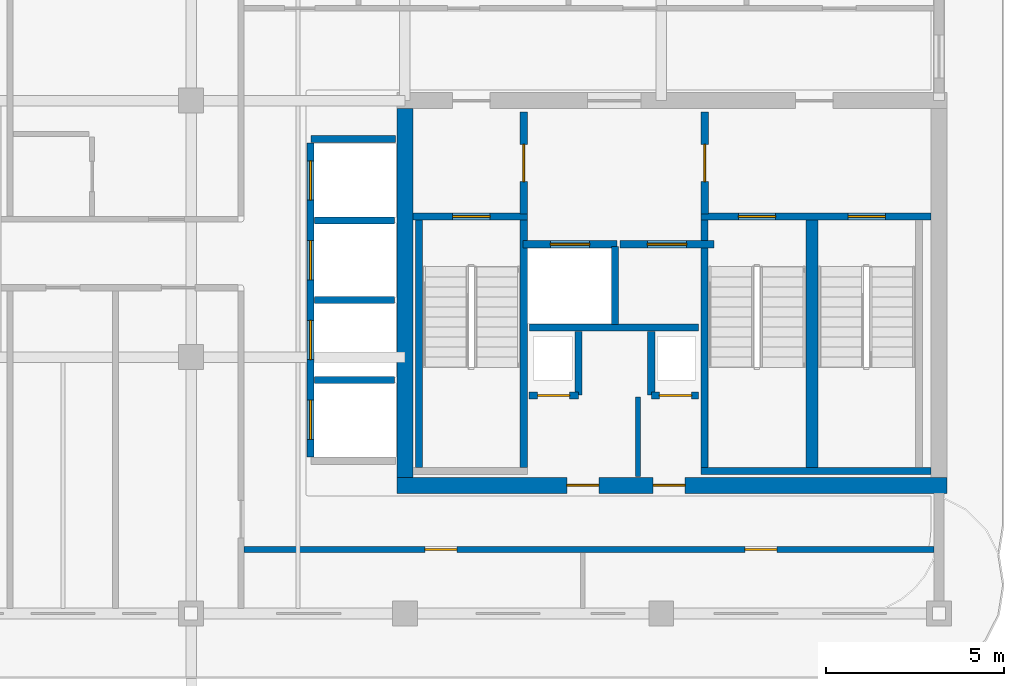
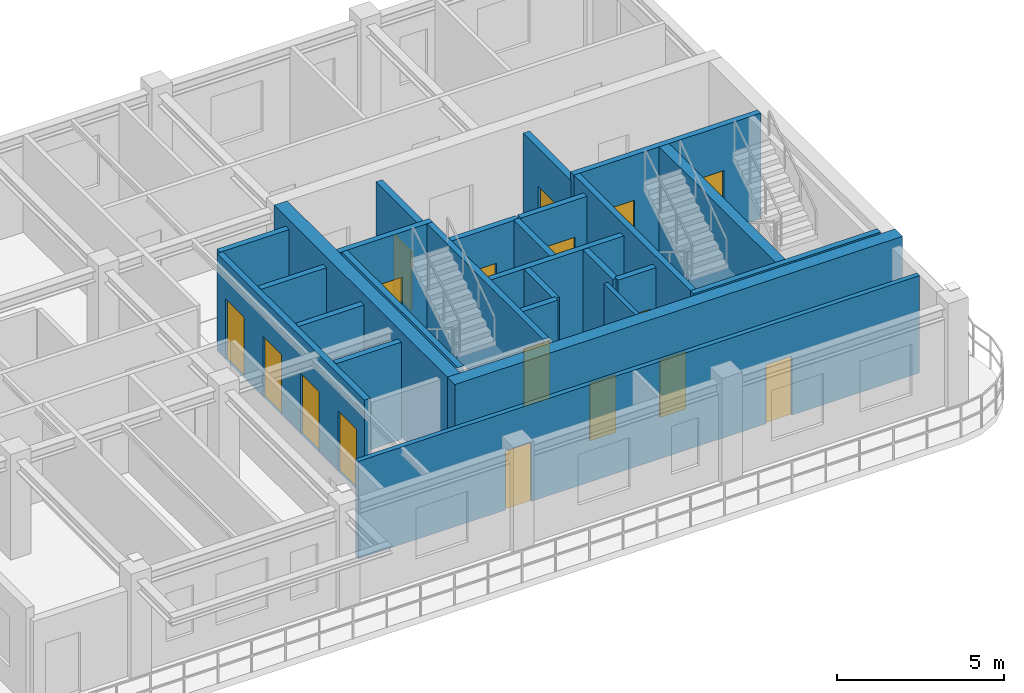
# One storey, part 3 of 7: 26 walls, 17 doors, 17 openings.
"""IFC4 building model written with IfcOpenShell, lengths in metres."""

from ifc_helpers import new_model, si_unit, derived_unit, direction, frame, frame_2d, origin, place, context, subcontext, project, spatial, rectangle, extrude, source, transform, mapped, material, layer, layer_set, type_object, type_shapes, element, fill, save


model = new_model("IFC4")

# Units and contexts
model_context = context("Model", 3, precision=1e-05, world=origin(), true_north=direction((0.0, 1.0)))
body_context = subcontext(model_context, "Body", "Model", "MODEL_VIEW")
ifc_project = project(units=[si_unit("LENGTHUNIT", "METRE"), si_unit("AREAUNIT", "SQUARE_METRE"), si_unit("VOLUMEUNIT", "CUBIC_METRE"), si_unit("PLANEANGLEUNIT", "RADIAN"), si_unit("MASSUNIT", "GRAM", prefix="KILO"), si_unit("THERMODYNAMICTEMPERATUREUNIT", "KELVIN"), si_unit("POWERUNIT", "WATT"), derived_unit("THERMALTRANSMITTANCEUNIT", [(si_unit("POWERUNIT", "WATT"), 1), (si_unit("AREAUNIT", "SQUARE_METRE"), -1), (si_unit("THERMODYNAMICTEMPERATUREUNIT", "KELVIN"), -1)])], contexts=[model_context])

# Site, building, storey
site_placement = place(None, origin())
site = spatial("IfcSite", under=ifc_project, at=site_placement, CompositionType="ELEMENT")
building_placement = place(site_placement, origin())
building = spatial("IfcBuilding", under=site, at=building_placement, Name="Zahravan Archway Hotel and Residences", CompositionType="ELEMENT")
storey_placement = place(building_placement, frame((0.0, 0.0, 290.449951171875)))
storey = spatial("IfcBuildingStorey", under=building, at=storey_placement, Name="L73", CompositionType="ELEMENT", Elevation=290.449951171875)

# Wall, openings, doors
ifc_material_1 = material(Name="Concrete C50/60", Category="concrete")
ifc_layer_1 = layer(ifc_material_1, 0.449951171875, Name="Concrete C50/60", Category="concrete")
ifc_layer_set_1 = layer_set([ifc_layer_1], Name="Concrete C50/60")
wall_type_1 = type_object("IfcWallType", Name="CW-CORE-450", PredefinedType="SHEAR", material=ifc_layer_set_1)
wall_1_placement = place(storey_placement, frame((34.574951171875, 3.60009765625, 0.0), z_axis=(0.0, 0.0, 1.0), x_axis=(1.0, 0.0, 0.0)))
wall_1 = element("IfcWall", 1, at=wall_1_placement, inside=storey, type_object=wall_type_1, Name="L73 Core A Shear S Wall 450 mm", PredefinedType="SHEAR", context=body_context, shape_type="SweptSolid", body=[
    extrude(rectangle(XDim=15.449951171875, YDim=0.449951171875, at=frame_2d((7.72509765625, 0.0))), origin(), (0.0, 0.0, 1.0), 3.85009765625),
])
opening_1_placement = place(wall_1_placement, frame((4.77490234375, 0.0, 0.0)))
opening_1 = element("IfcOpeningElement", 2, at=opening_1_placement, cuts=wall_1, Name="Opening FD-R1", PredefinedType="OPENING", context=body_context, shape_type="SweptSolid", body=[
    extrude(rectangle(XDim=0.89990234375, YDim=2.10009765625, at=frame_2d((0.449951171875, 1.050048828125))), frame((0.0, 0.23486328125, 0.0), z_axis=(0.0, -1.0, 0.0), x_axis=(1.0, 0.0, 0.0)), (0.0, 0.0, 1.0), 0.469970703125),
])
opening_2_placement = place(wall_1_placement, frame((7.195068359375, 0.0, 0.0)))
opening_2 = element("IfcOpeningElement", 3, at=opening_2_placement, cuts=wall_1, Name="Opening FD-R1", PredefinedType="OPENING", context=body_context, shape_type="SweptSolid", body=[
    extrude(rectangle(XDim=0.89990234375, YDim=2.10009765625, at=frame_2d((0.449951171875, 1.050048828125))), frame((0.0, 0.23486328125, 0.0), z_axis=(0.0, -1.0, 0.0), x_axis=(1.0, 0.0, 0.0)), (0.0, 0.0, 1.0), 0.469970703125),
])
ifc_material_2 = material(Name="Fire-Rated Painted Steel", Category="steel")
door_type_1 = type_object("IfcDoorType", Name="FD-RISER-900", OperationType="NOTDEFINED", PredefinedType="DOOR", material=ifc_material_2)
shared_shape_1 = source(origin(), body_context, "Body", "SweptSolid", [
    extrude(rectangle(XDim=0.89990234375, YDim=2.10009765625, at=frame_2d((0.449951171875, 1.050048828125))), frame((0.0, 0.02490234375, 0.0), z_axis=(0.0, -1.0, 0.0), x_axis=(1.0, 0.0, 0.0)), (0.0, 0.0, 1.0), 0.050048828125),
])
type_shapes(door_type_1, [shared_shape_1])
door_1_placement = place(opening_1_placement, origin())
door_1 = element("IfcDoor", 4, at=door_1_placement, inside=storey, type_object=door_type_1, Name="L73 Service Pantry Door", OperationType="SINGLE_SWING_RIGHT", OverallHeight=2.10009765625, OverallWidth=0.89990234375, PredefinedType="DOOR", context=body_context, shape_type="MappedRepresentation", body=[
    mapped(shared_shape_1, transform((0.0, 0.0, 0.0), scale=1.0)),
])
fill(opening_1, door_1)
door_2_placement = place(opening_2_placement, origin())
door_2 = element("IfcDoor", 5, at=door_2_placement, inside=storey, type_object=door_type_1, Name="L73 Fibre ELV Riser Door", OperationType="SINGLE_SWING_LEFT", OverallHeight=2.10009765625, OverallWidth=0.89990234375, PredefinedType="DOOR", context=body_context, shape_type="MappedRepresentation", body=[
    mapped(shared_shape_1, transform((0.0, 0.0, 0.0), scale=1.0)),
])
fill(opening_2, door_2)

# Wall
wall_2_placement = place(storey_placement, frame((34.800048828125, 3.824951171875, 0.0), z_axis=(0.0, 0.0, 1.0), x_axis=(0.0, 1.0, 0.0)))
element("IfcWall", 6, at=wall_2_placement, inside=storey, type_object=wall_type_1, Name="L73 Core A Shear W Wall 450 mm", PredefinedType="SHEAR", context=body_context, shape_type="SweptSolid", body=[
    extrude(rectangle(XDim=10.35009765625, YDim=0.449951171875, at=frame_2d((5.175048828125, 0.0))), origin(), (0.0, 0.0, 1.0), 3.85009765625),
])

# Wall, opening, door
ifc_material_3 = material(Name="Fire-Rated Gypsum & Concrete Block", Category="concrete")
ifc_layer_2 = layer(ifc_material_3, 0.219970703125, Name="Fire-Rated Gypsum & Concrete Block", Category="concrete")
ifc_layer_set_2 = layer_set([ifc_layer_2], Name="Fire-Rated Gypsum & Concrete Block")
wall_type_2 = type_object("IfcWallType", Name="PW-COMP-220", PredefinedType="PARTITIONING", material=ifc_layer_set_2)
wall_3_placement = place(storey_placement, frame((38.139892578125, 11.219970703125, 0.0), z_axis=(0.0, 0.0, 1.0), x_axis=(0.0, 1.0, 0.0)))
wall_3 = element("IfcWall", 7, at=wall_3_placement, inside=storey, type_object=wall_type_2, Name="L73 Partition CA-LOBW", PredefinedType="PARTITIONING", context=body_context, shape_type="SweptSolid", body=[
    extrude(rectangle(XDim=2.860107421875, YDim=0.219970703125, at=frame_2d((1.43017578125, 0.0))), origin(), (0.0, 0.0, 1.0), 3.550048828125),
])
opening_3_placement = place(wall_3_placement, frame((0.905029296875, 0.0, 0.0)))
opening_3 = element("IfcOpeningElement", 8, at=opening_3_placement, cuts=wall_3, Name="Opening FD-L2", PredefinedType="OPENING", context=body_context, shape_type="SweptSolid", body=[
    extrude(rectangle(XDim=1.050048828125, YDim=2.14990234375, at=frame_2d((0.52490234375, 1.074951171875))), frame((0.0, 0.1201171875, 0.0), z_axis=(0.0, -1.0, 0.0), x_axis=(1.0, 0.0, 0.0)), (0.0, 0.0, 1.0), 0.239990234375),
])
door_type_2 = type_object("IfcDoorType", Name="FD-LOBBY-1100", OperationType="NOTDEFINED", PredefinedType="DOOR", material=ifc_material_2)
shared_shape_2 = source(origin(), body_context, "Body", "SweptSolid", [
    extrude(rectangle(XDim=1.050048828125, YDim=2.14990234375, at=frame_2d((0.52490234375, 1.074951171875))), frame((0.0, 0.02490234375, 0.0), z_axis=(0.0, -1.0, 0.0), x_axis=(1.0, 0.0, 0.0)), (0.0, 0.0, 1.0), 0.050048828125),
])
type_shapes(door_type_2, [shared_shape_2])
door_3_placement = place(opening_3_placement, origin())
door_3 = element("IfcDoor", 9, at=door_3_placement, inside=storey, type_object=door_type_2, Name="L73 Core A West Stair to FSAE Lobby Door", OperationType="SINGLE_SWING_RIGHT", OverallHeight=2.14990234375, OverallWidth=1.050048828125, PredefinedType="DOOR", context=body_context, shape_type="MappedRepresentation", body=[
    mapped(shared_shape_2, transform((0.0, 0.0, 0.0), scale=1.0)),
])
fill(opening_3, door_3)

wall_4_placement = place(storey_placement, frame((43.219970703125, 11.219970703125, 0.0), z_axis=(0.0, 0.0, 1.0), x_axis=(0.0, 1.0, 0.0)))
wall_4 = element("IfcWall", 10, at=wall_4_placement, inside=storey, type_object=wall_type_2, Name="L73 Partition CA-LOBE", PredefinedType="PARTITIONING", context=body_context, shape_type="SweptSolid", body=[
    extrude(rectangle(XDim=2.860107421875, YDim=0.219970703125, at=frame_2d((1.43017578125, 0.0))), origin(), (0.0, 0.0, 1.0), 3.550048828125),
])
opening_4_placement = place(wall_4_placement, frame((0.905029296875, 0.0, 0.0)))
opening_4 = element("IfcOpeningElement", 11, at=opening_4_placement, cuts=wall_4, Name="Opening FD-L2", PredefinedType="OPENING", context=body_context, shape_type="SweptSolid", body=[
    extrude(rectangle(XDim=1.050048828125, YDim=2.14990234375, at=frame_2d((0.52490234375, 1.074951171875))), frame((0.0, 0.1201171875, 0.0), z_axis=(0.0, -1.0, 0.0), x_axis=(1.0, 0.0, 0.0)), (0.0, 0.0, 1.0), 0.239990234375),
])
door_4_placement = place(opening_4_placement, origin())
door_4 = element("IfcDoor", 12, at=door_4_placement, inside=storey, type_object=door_type_2, Name="L73 Core A East Stair to FSAE Lobby Door", OperationType="SINGLE_SWING_LEFT", OverallHeight=2.14990234375, OverallWidth=1.050048828125, PredefinedType="DOOR", context=body_context, shape_type="MappedRepresentation", body=[
    mapped(shared_shape_2, transform((0.0, 0.0, 0.0), scale=1.0)),
])
fill(opening_4, door_4)

# Wall, openings, doors
ifc_layer_3 = layer(ifc_material_3, 0.159912109375, Name="Fire-Rated Gypsum & Concrete Block", Category="concrete")
ifc_layer_set_3 = layer_set([ifc_layer_3], Name="Fire-Rated Gypsum & Concrete Block")
wall_type_3 = type_object("IfcWallType", Name="PW-CORR-160", PredefinedType="PARTITIONING", material=ifc_layer_set_3)
wall_5_placement = place(storey_placement, frame((30.2900390625, 1.800048828125, 0.0), z_axis=(0.0, 0.0, 1.0), x_axis=(1.0, 0.0, 0.0)))
wall_5 = element("IfcWall", 13, at=wall_5_placement, inside=storey, type_object=wall_type_3, Name="L73 Partition WA-SRS", PredefinedType="PARTITIONING", context=body_context, shape_type="SweptSolid", body=[
    extrude(rectangle(XDim=19.369873046875, YDim=0.159912109375, at=frame_2d((9.68505859375, 0.0))), origin(), (0.0, 0.0, 1.0), 3.550048828125),
])
opening_5_placement = place(wall_5_placement, frame((5.07421875, 0.0, 0.0)))
opening_5 = element("IfcOpeningElement", 14, at=opening_5_placement, cuts=wall_5, Name="Opening D-I2", PredefinedType="OPENING", context=body_context, shape_type="SweptSolid", body=[
    extrude(rectangle(XDim=0.89990234375, YDim=2.14990234375, at=frame_2d((0.449951171875, 1.074951171875))), frame((0.0, 0.08984375, 0.0), z_axis=(0.0, -1.0, 0.0), x_axis=(1.0, 0.0, 0.0)), (0.0, 0.0, 1.0), 0.179931640625),
])
opening_6_placement = place(wall_5_placement, frame((14.06005859375, 0.0, 0.0)))
opening_6 = element("IfcOpeningElement", 15, at=opening_6_placement, cuts=wall_5, Name="Opening D-I2", PredefinedType="OPENING", context=body_context, shape_type="SweptSolid", body=[
    extrude(rectangle(XDim=0.89990234375, YDim=2.14990234375, at=frame_2d((0.449951171875, 1.074951171875))), frame((0.0, 0.08984375, 0.0), z_axis=(0.0, -1.0, 0.0), x_axis=(1.0, 0.0, 0.0)), (0.0, 0.0, 1.0), 0.179931640625),
])
ifc_material_4 = material(Name="Hardwood Veneer Timber", Category="wood")
door_type_3 = type_object("IfcDoorType", Name="ID-INT-900", OperationType="NOTDEFINED", PredefinedType="DOOR", material=ifc_material_4)
shared_shape_3 = source(origin(), body_context, "Body", "SweptSolid", [
    extrude(rectangle(XDim=0.89990234375, YDim=2.14990234375, at=frame_2d((0.449951171875, 1.074951171875))), frame((0.0, 0.02490234375, 0.0), z_axis=(0.0, -1.0, 0.0), x_axis=(1.0, 0.0, 0.0)), (0.0, 0.0, 1.0), 0.050048828125),
])
type_shapes(door_type_3, [shared_shape_3])
door_5_placement = place(opening_5_placement, origin())
door_5 = element("IfcDoor", 16, at=door_5_placement, inside=storey, type_object=door_type_3, Name="L73 South Study Door", OperationType="SINGLE_SWING_LEFT", OverallHeight=2.14990234375, OverallWidth=0.89990234375, PredefinedType="DOOR", context=body_context, shape_type="MappedRepresentation", body=[
    mapped(shared_shape_3, transform((0.0, 0.0, 0.0), scale=1.0)),
])
fill(opening_5, door_5)
door_6_placement = place(opening_6_placement, origin())
door_6 = element("IfcDoor", 17, at=door_6_placement, inside=storey, type_object=door_type_3, Name="L73 South Pantry Door", OperationType="SINGLE_SWING_RIGHT", OverallHeight=2.14990234375, OverallWidth=0.89990234375, PredefinedType="DOOR", context=body_context, shape_type="MappedRepresentation", body=[
    mapped(shared_shape_3, transform((0.0, 0.0, 0.0), scale=1.0)),
])
fill(opening_6, door_6)

# Walls
ifc_layer_4 = layer(ifc_material_3, 0.199951171875, Name="Fire-Rated Gypsum & Concrete Block", Category="concrete")
ifc_layer_set_4 = layer_set([ifc_layer_4], Name="Fire-Rated Gypsum & Concrete Block")
wall_type_4 = type_object("IfcWallType", Name="PW-SHAFT-200", PredefinedType="PARTITIONING", material=ifc_layer_set_4)
wall_6_placement = place(storey_placement, frame((38.300048828125, 8.030029296875, 0.0), z_axis=(0.0, 0.0, 1.0), x_axis=(1.0, 0.0, 0.0)))
element("IfcWall", 18, at=wall_6_placement, inside=storey, type_object=wall_type_4, Name="L73 Partition CA-FLS", PredefinedType="PARTITIONING", context=body_context, shape_type="SweptSolid", body=[
    extrude(rectangle(XDim=4.739990234375, YDim=0.199951171875, at=frame_2d((2.3701171875, 0.0))), origin(), (0.0, 0.0, 1.0), 3.550048828125),
])
wall_7_placement = place(storey_placement, frame((40.699951171875, 8.1201171875, 0.0), z_axis=(0.0, 0.0, 1.0), x_axis=(0.0, 1.0, 0.0)))
element("IfcWall", 19, at=wall_7_placement, inside=storey, type_object=wall_type_4, Name="L73 Partition CA-FLM", PredefinedType="PARTITIONING", context=body_context, shape_type="SweptSolid", body=[
    extrude(rectangle(XDim=2.179931640625, YDim=0.199951171875, at=frame_2d((1.08984375, 0.0))), origin(), (0.0, 0.0, 1.0), 3.550048828125),
])

# Wall, opening, door
wall_8_placement = place(storey_placement, frame((38.2900390625, 6.1201171875, 0.0), z_axis=(0.0, 0.0, 1.0), x_axis=(1.0, 0.0, 0.0)))
wall_8 = element("IfcWall", 20, at=wall_8_placement, inside=storey, type_object=wall_type_4, Name="L73 Partition CA-SMKS", PredefinedType="PARTITIONING", context=body_context, shape_type="SweptSolid", body=[
    extrude(rectangle(XDim=1.3798828125, YDim=0.199951171875, at=frame_2d((0.68994140625, 0.0))), origin(), (0.0, 0.0, 1.0), 3.550048828125),
])
opening_7_placement = place(wall_8_placement, frame((0.239990234375, 0.0, 0.0)))
opening_7 = element("IfcOpeningElement", 21, at=opening_7_placement, cuts=wall_8, Name="Opening FD-R1", PredefinedType="OPENING", context=body_context, shape_type="SweptSolid", body=[
    extrude(rectangle(XDim=0.89990234375, YDim=2.10009765625, at=frame_2d((0.449951171875, 1.050048828125))), frame((0.0, 0.10986328125, 0.0), z_axis=(0.0, -1.0, 0.0), x_axis=(1.0, 0.0, 0.0)), (0.0, 0.0, 1.0), 0.219970703125),
])
door_7_placement = place(opening_7_placement, origin())
door_7 = element("IfcDoor", 22, at=door_7_placement, inside=storey, type_object=door_type_1, Name="L73 Smoke Riser Access Door", OperationType="SINGLE_SWING_RIGHT", OverallHeight=2.10009765625, OverallWidth=0.89990234375, PredefinedType="DOOR", context=body_context, shape_type="MappedRepresentation", body=[
    mapped(shared_shape_1, transform((0.0, 0.0, 0.0), scale=1.0)),
])
fill(opening_7, door_7)

# Wall
wall_9_placement = place(storey_placement, frame((39.679931640625, 6.1298828125, 0.0), z_axis=(0.0, 0.0, 1.0), x_axis=(0.0, 1.0, 0.0)))
element("IfcWall", 23, at=wall_9_placement, inside=storey, type_object=wall_type_4, Name="L73 Partition CA-SMKE", PredefinedType="PARTITIONING", context=body_context, shape_type="SweptSolid", body=[
    extrude(rectangle(XDim=1.7900390625, YDim=0.199951171875, at=frame_2d((0.89501953125, 0.0))), origin(), (0.0, 0.0, 1.0), 3.550048828125),
])

# Wall, opening, door
wall_10_placement = place(storey_placement, frame((41.72998046875, 6.1201171875, 0.0), z_axis=(0.0, 0.0, 1.0), x_axis=(1.0, 0.0, 0.0)))
wall_10 = element("IfcWall", 24, at=wall_10_placement, inside=storey, type_object=wall_type_4, Name="L73 Partition CA-MEPS", PredefinedType="PARTITIONING", context=body_context, shape_type="SweptSolid", body=[
    extrude(rectangle(XDim=1.320068359375, YDim=0.199951171875, at=frame_2d((0.66015625, 0.0))), origin(), (0.0, 0.0, 1.0), 3.550048828125),
])
opening_8_placement = place(wall_10_placement, frame((0.219970703125, 0.0, 0.0)))
opening_8 = element("IfcOpeningElement", 25, at=opening_8_placement, cuts=wall_10, Name="Opening FD-R1", PredefinedType="OPENING", context=body_context, shape_type="SweptSolid", body=[
    extrude(rectangle(XDim=0.89990234375, YDim=2.10009765625, at=frame_2d((0.449951171875, 1.050048828125))), frame((0.0, 0.10986328125, 0.0), z_axis=(0.0, -1.0, 0.0), x_axis=(1.0, 0.0, 0.0)), (0.0, 0.0, 1.0), 0.219970703125),
])
door_8_placement = place(opening_8_placement, origin())
door_8 = element("IfcDoor", 26, at=door_8_placement, inside=storey, type_object=door_type_1, Name="L73 MEP Riser Access Door", OperationType="SINGLE_SWING_LEFT", OverallHeight=2.10009765625, OverallWidth=0.89990234375, PredefinedType="DOOR", context=body_context, shape_type="MappedRepresentation", body=[
    mapped(shared_shape_1, transform((0.0, 0.0, 0.0), scale=1.0)),
])
fill(opening_8, door_8)

# Walls
wall_11_placement = place(storey_placement, frame((41.719970703125, 6.1298828125, 0.0), z_axis=(0.0, 0.0, 1.0), x_axis=(0.0, 1.0, 0.0)))
element("IfcWall", 27, at=wall_11_placement, inside=storey, type_object=wall_type_4, Name="L73 Partition CA-MEPW", PredefinedType="PARTITIONING", context=body_context, shape_type="SweptSolid", body=[
    extrude(rectangle(XDim=1.7900390625, YDim=0.199951171875, at=frame_2d((0.89501953125, 0.0))), origin(), (0.0, 0.0, 1.0), 3.550048828125),
])
wall_12_placement = place(storey_placement, frame((32.159912109375, 13.320068359375, 0.0), z_axis=(0.0, 0.0, 1.0), x_axis=(1.0, 0.0, 0.0)))
element("IfcWall", 28, at=wall_12_placement, inside=storey, type_object=wall_type_4, Name="L73 Partition B3-N", PredefinedType="PARTITIONING", context=body_context, shape_type="SweptSolid", body=[
    extrude(rectangle(XDim=2.385009765625, YDim=0.199951171875, at=frame_2d((1.1923828125, 0.0))), origin(), (0.0, 0.0, 1.0), 3.550048828125),
])

# Wall, openings, doors
wall_13_placement = place(storey_placement, frame((32.14990234375, 4.389892578125, 0.0), z_axis=(0.0, 0.0, 1.0), x_axis=(0.0, 1.0, 0.0)))
wall_13 = element("IfcWall", 29, at=wall_13_placement, inside=storey, type_object=wall_type_4, Name="L73 Partition B3-W", PredefinedType="PARTITIONING", context=body_context, shape_type="SweptSolid", body=[
    extrude(rectangle(XDim=8.820068359375, YDim=0.199951171875, at=frame_2d((4.41015625, 0.0))), origin(), (0.0, 0.0, 1.0), 3.550048828125),
])
opening_9_placement = place(wall_13_placement, frame((0.5, 0.0, 0.0)))
opening_9 = element("IfcOpeningElement", 30, at=opening_9_placement, cuts=wall_13, Name="Opening LD", PredefinedType="OPENING", context=body_context, shape_type="SweptSolid", body=[
    extrude(rectangle(XDim=1.10009765625, YDim=2.199951171875, at=frame_2d((0.550048828125, 1.10009765625))), frame((0.0, 0.10986328125, 0.0), z_axis=(0.0, -1.0, 0.0), x_axis=(1.0, 0.0, 0.0)), (0.0, 0.0, 1.0), 0.219970703125),
])
opening_10_placement = place(wall_13_placement, frame((2.739990234375, 0.0, 0.0)))
opening_10 = element("IfcOpeningElement", 31, at=opening_10_placement, cuts=wall_13, Name="Opening LD", PredefinedType="OPENING", context=body_context, shape_type="SweptSolid", body=[
    extrude(rectangle(XDim=1.10009765625, YDim=2.199951171875, at=frame_2d((0.550048828125, 1.10009765625))), frame((0.0, 0.10986328125, 0.0), z_axis=(0.0, -1.0, 0.0), x_axis=(1.0, 0.0, 0.0)), (0.0, 0.0, 1.0), 0.219970703125),
])
opening_11_placement = place(wall_13_placement, frame((4.97998046875, 0.0, 0.0)))
opening_11 = element("IfcOpeningElement", 32, at=opening_11_placement, cuts=wall_13, Name="Opening LD", PredefinedType="OPENING", context=body_context, shape_type="SweptSolid", body=[
    extrude(rectangle(XDim=1.10009765625, YDim=2.199951171875, at=frame_2d((0.550048828125, 1.10009765625))), frame((0.0, 0.10986328125, 0.0), z_axis=(0.0, -1.0, 0.0), x_axis=(1.0, 0.0, 0.0)), (0.0, 0.0, 1.0), 0.219970703125),
])
opening_12_placement = place(wall_13_placement, frame((7.219970703125, 0.0, 0.0)))
opening_12 = element("IfcOpeningElement", 33, at=opening_12_placement, cuts=wall_13, Name="Opening LD", PredefinedType="OPENING", context=body_context, shape_type="SweptSolid", body=[
    extrude(rectangle(XDim=1.10009765625, YDim=2.199951171875, at=frame_2d((0.550048828125, 1.10009765625))), frame((0.0, 0.10986328125, 0.0), z_axis=(0.0, -1.0, 0.0), x_axis=(1.0, 0.0, 0.0)), (0.0, 0.0, 1.0), 0.219970703125),
])
ifc_material_5 = material(Name="Brushed Stainless Steel", Category="steel")
door_type_4 = type_object("IfcDoorType", Name="DR-LIFT-LD", OperationType="SLIDING_TO_LEFT", PredefinedType="DOOR", material=ifc_material_5)
shared_shape_4 = source(origin(), body_context, "Body", "SweptSolid", [
    extrude(rectangle(XDim=1.10009765625, YDim=2.199951171875, at=frame_2d((0.550048828125, 1.10009765625))), frame((0.0, 0.02490234375, 0.0), z_axis=(0.0, -1.0, 0.0), x_axis=(1.0, 0.0, 0.0)), (0.0, 0.0, 1.0), 0.050048828125),
])
type_shapes(door_type_4, [shared_shape_4])
door_9_placement = place(opening_9_placement, origin())
door_9 = element("IfcDoor", 34, at=door_9_placement, inside=storey, type_object=door_type_4, Name="L73 Lift LP-7 Sliding Landing Door", OperationType="SLIDING_TO_LEFT", OverallHeight=2.199951171875, OverallWidth=1.10009765625, PredefinedType="DOOR", context=body_context, shape_type="MappedRepresentation", body=[
    mapped(shared_shape_4, transform((0.0, 0.0, 0.0), scale=1.0)),
])
fill(opening_9, door_9)
door_10_placement = place(opening_10_placement, origin())
door_10 = element("IfcDoor", 35, at=door_10_placement, inside=storey, type_object=door_type_4, Name="L73 Lift LP-8 Sliding Landing Door", OperationType="SLIDING_TO_LEFT", OverallHeight=2.199951171875, OverallWidth=1.10009765625, PredefinedType="DOOR", context=body_context, shape_type="MappedRepresentation", body=[
    mapped(shared_shape_4, transform((0.0, 0.0, 0.0), scale=1.0)),
])
fill(opening_10, door_10)
door_11_placement = place(opening_11_placement, origin())
door_11 = element("IfcDoor", 36, at=door_11_placement, inside=storey, type_object=door_type_4, Name="L73 Lift LP-9 Sliding Landing Door", OperationType="SLIDING_TO_LEFT", OverallHeight=2.199951171875, OverallWidth=1.10009765625, PredefinedType="DOOR", context=body_context, shape_type="MappedRepresentation", body=[
    mapped(shared_shape_4, transform((0.0, 0.0, 0.0), scale=1.0)),
])
fill(opening_11, door_11)
door_12_placement = place(opening_12_placement, origin())
door_12 = element("IfcDoor", 37, at=door_12_placement, inside=storey, type_object=door_type_4, Name="L73 Lift LP-10 Sliding Landing Door", OperationType="SLIDING_TO_LEFT", OverallHeight=2.199951171875, OverallWidth=1.10009765625, PredefinedType="DOOR", context=body_context, shape_type="MappedRepresentation", body=[
    mapped(shared_shape_4, transform((0.0, 0.0, 0.0), scale=1.0)),
])
fill(opening_12, door_12)

# Walls
for number, where, z_axis, x_axis, name in (
    (38, (32.260009765625, 6.56005859375, 0.0), (0.0, 0.0, 1.0), (1.0, 0.0, 0.0), "L73 Partition B3-D"),
    (39, (32.260009765625, 8.800048828125, 0.0), (0.0, 0.0, 1.0), (1.0, 0.0, 0.0), "L73 Partition B3-D"),
    (40, (32.260009765625, 11.0400390625, 0.0), (0.0, 0.0, 1.0), (1.0, 0.0, 0.0), "L73 Partition B3-D"),
):
    element("IfcWall", number, at=place(storey_placement, frame(where, z_axis=z_axis, x_axis=x_axis)), inside=storey, type_object=wall_type_4, Name=name, PredefinedType="PARTITIONING", context=body_context, shape_type="SweptSolid", body=[
        extrude(rectangle(XDim=2.2548828125, YDim=0.199951171875, at=frame_2d((1.12744140625, 0.0))), origin(), (0.0, 0.0, 1.0), 3.550048828125),
    ])

# Wall, opening, door
wall_14_placement = place(storey_placement, frame((38.1201171875, 10.3701171875, 0.0), z_axis=(0.0, 0.0, 1.0), x_axis=(1.0, 0.0, 0.0)))
wall_14 = element("IfcWall", 41, at=wall_14_placement, inside=storey, type_object=wall_type_4, Name="L73 Lift FL-1 Front Wall", PredefinedType="PARTITIONING", context=body_context, shape_type="SweptSolid", body=[
    extrude(rectangle(XDim=2.639892578125, YDim=0.199951171875, at=frame_2d((1.31982421875, 0.0))), origin(), (0.0, 0.0, 1.0), 3.550048828125),
])
opening_13_placement = place(wall_14_placement, frame((0.77001953125, 0.0, 0.0)))
opening_13 = element("IfcOpeningElement", 42, at=opening_13_placement, cuts=wall_14, Name="Opening LD", PredefinedType="OPENING", context=body_context, shape_type="SweptSolid", body=[
    extrude(rectangle(XDim=1.10009765625, YDim=2.199951171875, at=frame_2d((0.550048828125, 1.10009765625))), frame((0.0, 0.10986328125, 0.0), z_axis=(0.0, -1.0, 0.0), x_axis=(1.0, 0.0, 0.0)), (0.0, 0.0, 1.0), 0.219970703125),
])
door_13_placement = place(opening_13_placement, origin())
door_13 = element("IfcDoor", 43, at=door_13_placement, inside=storey, type_object=door_type_4, Name="L73 Lift FL-1 Sliding Landing Door", OperationType="SLIDING_TO_LEFT", OverallHeight=2.199951171875, OverallWidth=1.10009765625, PredefinedType="DOOR", context=body_context, shape_type="MappedRepresentation", body=[
    mapped(shared_shape_4, transform((0.0, 0.0, 0.0), scale=1.0)),
])
fill(opening_13, door_13)

wall_15_placement = place(storey_placement, frame((40.840087890625, 10.3701171875, 0.0), z_axis=(0.0, 0.0, 1.0), x_axis=(1.0, 0.0, 0.0)))
wall_15 = element("IfcWall", 44, at=wall_15_placement, inside=storey, type_object=wall_type_4, Name="L73 Lift FL-2 Front Wall", PredefinedType="PARTITIONING", context=body_context, shape_type="SweptSolid", body=[
    extrude(rectangle(XDim=2.639892578125, YDim=0.199951171875, at=frame_2d((1.31982421875, 0.0))), origin(), (0.0, 0.0, 1.0), 3.550048828125),
])
opening_14_placement = place(wall_15_placement, frame((0.77001953125, 0.0, 0.0)))
opening_14 = element("IfcOpeningElement", 45, at=opening_14_placement, cuts=wall_15, Name="Opening LD", PredefinedType="OPENING", context=body_context, shape_type="SweptSolid", body=[
    extrude(rectangle(XDim=1.10009765625, YDim=2.199951171875, at=frame_2d((0.550048828125, 1.10009765625))), frame((0.0, 0.10986328125, 0.0), z_axis=(0.0, -1.0, 0.0), x_axis=(1.0, 0.0, 0.0)), (0.0, 0.0, 1.0), 0.219970703125),
])
door_14_placement = place(opening_14_placement, origin())
door_14 = element("IfcDoor", 46, at=door_14_placement, inside=storey, type_object=door_type_4, Name="L73 Lift FL-2 Sliding Landing Door", OperationType="SLIDING_TO_LEFT", OverallHeight=2.199951171875, OverallWidth=1.10009765625, PredefinedType="DOOR", context=body_context, shape_type="MappedRepresentation", body=[
    mapped(shared_shape_4, transform((0.0, 0.0, 0.0), scale=1.0)),
])
fill(opening_14, door_14)

# Walls
ifc_material_6 = material(Name="Moisture-Resistant Blockwork", Category="masonry")
ifc_layer_5 = layer(ifc_material_6, 0.139892578125, Name="Moisture-Resistant Blockwork", Category="masonry")
ifc_layer_set_5 = layer_set([ifc_layer_5], Name="Moisture-Resistant Blockwork")
wall_type_5 = type_object("IfcWallType", Name="PW-WET-140", PredefinedType="PARTITIONING", material=ifc_layer_set_5)
wall_16_placement = place(storey_placement, frame((41.35009765625, 3.844970703125, 0.0), z_axis=(0.0, 0.0, 1.0), x_axis=(0.0, 1.0, 0.0)))
element("IfcWall", 47, at=wall_16_placement, inside=storey, type_object=wall_type_5, Name="L73 Partition CA-CV3", PredefinedType="PARTITIONING", context=body_context, shape_type="SweptSolid", body=[
    extrude(rectangle(XDim=2.235107421875, YDim=0.139892578125, at=frame_2d((1.11767578125, 0.0))), origin(), (0.0, 0.0, 1.0), 3.550048828125),
])
ifc_layer_6 = layer(ifc_material_1, 0.199951171875, Name="Concrete C50/60", Category="concrete")
ifc_layer_set_6 = layer_set([ifc_layer_6], Name="Concrete C50/60")
wall_type_6 = type_object("IfcWallType", Name="SW-STAIR-200", PredefinedType="SHEAR", material=ifc_layer_set_6)
for number, where, z_axis, x_axis, name in (
    (48, (35.199951171875, 4.10009765625, 0.0), (0.0, 0.0, 1.0), (0.0, 1.0, 0.0), "L73 Stairwell RC Wall CA-SA1W"),
    (49, (38.139892578125, 4.10009765625, 0.0), (0.0, 0.0, 1.0), (0.0, 1.0, 0.0), "L73 Stairwell RC Wall CA-SA1E"),
):
    element("IfcWall", number, at=place(storey_placement, frame(where, z_axis=z_axis, x_axis=x_axis)), inside=storey, type_object=wall_type_6, Name=name, PredefinedType="SHEAR", context=body_context, shape_type="SweptSolid", body=[
        extrude(rectangle(XDim=6.949951171875, YDim=0.199951171875, at=frame_2d((3.47509765625, 0.0))), origin(), (0.0, 0.0, 1.0), 3.85009765625),
    ])

# Wall, opening, door
wall_17_placement = place(storey_placement, frame((35.02490234375, 11.14990234375, 0.0), z_axis=(0.0, 0.0, 1.0), x_axis=(1.0, 0.0, 0.0)))
wall_17 = element("IfcWall", 50, at=wall_17_placement, inside=storey, type_object=wall_type_6, Name="L73 Stairwell RC Wall CA-SA1N", PredefinedType="SHEAR", context=body_context, shape_type="SweptSolid", body=[
    extrude(rectangle(XDim=3.215087890625, YDim=0.199951171875, at=frame_2d((1.607421875, 0.0))), origin(), (0.0, 0.0, 1.0), 3.85009765625),
])
opening_15_placement = place(wall_17_placement, frame((1.1201171875, 0.0, 0.0)))
opening_15 = element("IfcOpeningElement", 51, at=opening_15_placement, cuts=wall_17, Name="Opening FD-S1", PredefinedType="OPENING", context=body_context, shape_type="SweptSolid", body=[
    extrude(rectangle(XDim=1.050048828125, YDim=2.199951171875, at=frame_2d((0.52490234375, 1.10009765625))), frame((0.0, 0.10986328125, 0.0), z_axis=(0.0, -1.0, 0.0), x_axis=(1.0, 0.0, 0.0)), (0.0, 0.0, 1.0), 0.219970703125),
])
door_type_5 = type_object("IfcDoorType", Name="FD-STAIR-1100", OperationType="NOTDEFINED", PredefinedType="DOOR", material=ifc_material_2)
shared_shape_5 = source(origin(), body_context, "Body", "SweptSolid", [
    extrude(rectangle(XDim=1.050048828125, YDim=2.199951171875, at=frame_2d((0.52490234375, 1.10009765625))), frame((0.0, 0.02490234375, 0.0), z_axis=(0.0, -1.0, 0.0), x_axis=(1.0, 0.0, 0.0)), (0.0, 0.0, 1.0), 0.050048828125),
])
type_shapes(door_type_5, [shared_shape_5])
door_15_placement = place(opening_15_placement, origin())
door_15 = element("IfcDoor", 52, at=door_15_placement, inside=storey, type_object=door_type_5, Name="L73 Stair ST-A1 Door", OperationType="SINGLE_SWING_LEFT", OverallHeight=2.199951171875, OverallWidth=1.050048828125, PredefinedType="DOOR", context=body_context, shape_type="MappedRepresentation", body=[
    mapped(shared_shape_5, transform((0.0, 0.0, 0.0), scale=1.0)),
])
fill(opening_15, door_15)

# Walls
wall_18_placement = place(storey_placement, frame((43.1201171875, 4.0, 0.0), z_axis=(0.0, 0.0, 1.0), x_axis=(1.0, 0.0, 0.0)))
element("IfcWall", 53, at=wall_18_placement, inside=storey, type_object=wall_type_6, Name="L73 Stairwell RC Wall CA-SA23S", PredefinedType="SHEAR", context=body_context, shape_type="SweptSolid", body=[
    extrude(rectangle(XDim=6.454833984375, YDim=0.199951171875, at=frame_2d((3.2275390625, 0.0))), origin(), (0.0, 0.0, 1.0), 3.85009765625),
])
wall_19_placement = place(storey_placement, frame((43.219970703125, 4.10009765625, 0.0), z_axis=(0.0, 0.0, 1.0), x_axis=(0.0, 1.0, 0.0)))
element("IfcWall", 54, at=wall_19_placement, inside=storey, type_object=wall_type_6, Name="L73 Stairwell RC Wall CA-SA2W", PredefinedType="SHEAR", context=body_context, shape_type="SweptSolid", body=[
    extrude(rectangle(XDim=6.949951171875, YDim=0.199951171875, at=frame_2d((3.47509765625, 0.0))), origin(), (0.0, 0.0, 1.0), 3.85009765625),
])

# Wall, openings, doors
wall_20_placement = place(storey_placement, frame((43.1201171875, 11.14990234375, 0.0), z_axis=(0.0, 0.0, 1.0), x_axis=(1.0, 0.0, 0.0)))
wall_20 = element("IfcWall", 55, at=wall_20_placement, inside=storey, type_object=wall_type_6, Name="L73 Stairwell RC Wall CA-SA23N", PredefinedType="SHEAR", context=body_context, shape_type="SweptSolid", body=[
    extrude(rectangle(XDim=6.454833984375, YDim=0.199951171875, at=frame_2d((3.2275390625, 0.0))), origin(), (0.0, 0.0, 1.0), 3.85009765625),
])
opening_16_placement = place(wall_20_placement, frame((1.044921875, 0.0, 0.0)))
opening_16 = element("IfcOpeningElement", 56, at=opening_16_placement, cuts=wall_20, Name="Opening FD-S1", PredefinedType="OPENING", context=body_context, shape_type="SweptSolid", body=[
    extrude(rectangle(XDim=1.050048828125, YDim=2.199951171875, at=frame_2d((0.52490234375, 1.10009765625))), frame((0.0, 0.10986328125, 0.0), z_axis=(0.0, -1.0, 0.0), x_axis=(1.0, 0.0, 0.0)), (0.0, 0.0, 1.0), 0.219970703125),
])
opening_17_placement = place(wall_20_placement, frame((4.125, 0.0, 0.0)))
opening_17 = element("IfcOpeningElement", 57, at=opening_17_placement, cuts=wall_20, Name="Opening FD-S1", PredefinedType="OPENING", context=body_context, shape_type="SweptSolid", body=[
    extrude(rectangle(XDim=1.050048828125, YDim=2.199951171875, at=frame_2d((0.52490234375, 1.10009765625))), frame((0.0, 0.10986328125, 0.0), z_axis=(0.0, -1.0, 0.0), x_axis=(1.0, 0.0, 0.0)), (0.0, 0.0, 1.0), 0.219970703125),
])
door_16_placement = place(opening_16_placement, origin())
door_16 = element("IfcDoor", 58, at=door_16_placement, inside=storey, type_object=door_type_5, Name="L73 Stair ST-A2 Door", OperationType="SINGLE_SWING_RIGHT", OverallHeight=2.199951171875, OverallWidth=1.050048828125, PredefinedType="DOOR", context=body_context, shape_type="MappedRepresentation", body=[
    mapped(shared_shape_5, transform((0.0, 0.0, 0.0), scale=1.0)),
])
fill(opening_16, door_16)
door_17_placement = place(opening_17_placement, origin())
door_17 = element("IfcDoor", 59, at=door_17_placement, inside=storey, type_object=door_type_5, Name="L73 Stair ST-A3 Door", OperationType="SINGLE_SWING_LEFT", OverallHeight=2.199951171875, OverallWidth=1.050048828125, PredefinedType="DOOR", context=body_context, shape_type="MappedRepresentation", body=[
    mapped(shared_shape_5, transform((0.0, 0.0, 0.0), scale=1.0)),
])
fill(opening_17, door_17)

# Wall
ifc_layer_7 = layer(ifc_material_1, 0.340087890625, Name="Concrete C50/60", Category="concrete")
ifc_layer_set_7 = layer_set([ifc_layer_7], Name="Concrete C50/60")
wall_type_7 = type_object("IfcWallType", Name="SW-STAIR-340", PredefinedType="SHEAR", material=ifc_layer_set_7)
wall_21_placement = place(storey_placement, frame((46.22998046875, 4.10009765625, 0.0), z_axis=(0.0, 0.0, 1.0), x_axis=(0.0, 1.0, 0.0)))
element("IfcWall", 60, at=wall_21_placement, inside=storey, type_object=wall_type_7, Name="L73 Stairwell RC Wall CA-SA23M", PredefinedType="SHEAR", context=body_context, shape_type="SweptSolid", body=[
    extrude(rectangle(XDim=6.949951171875, YDim=0.340087890625, at=frame_2d((3.47509765625, 0.0))), origin(), (0.0, 0.0, 1.0), 3.85009765625),
])

save(model, "model.ifc")
